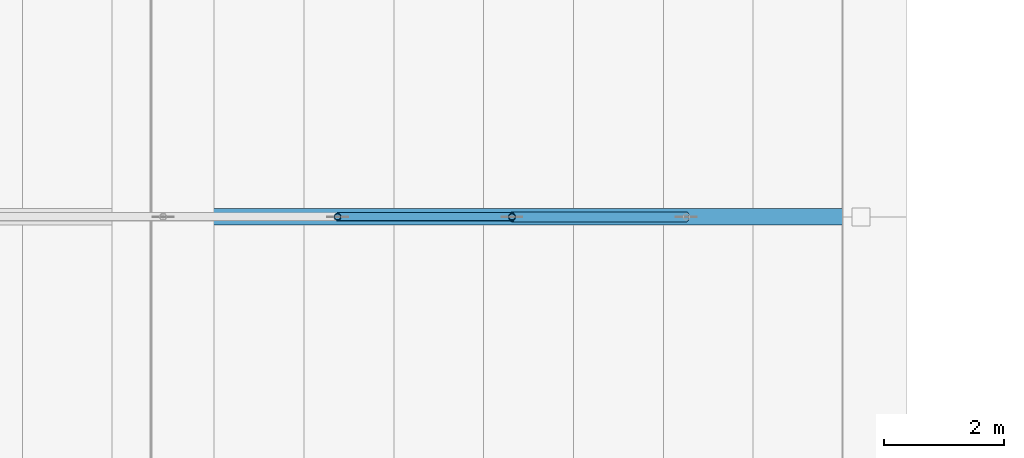
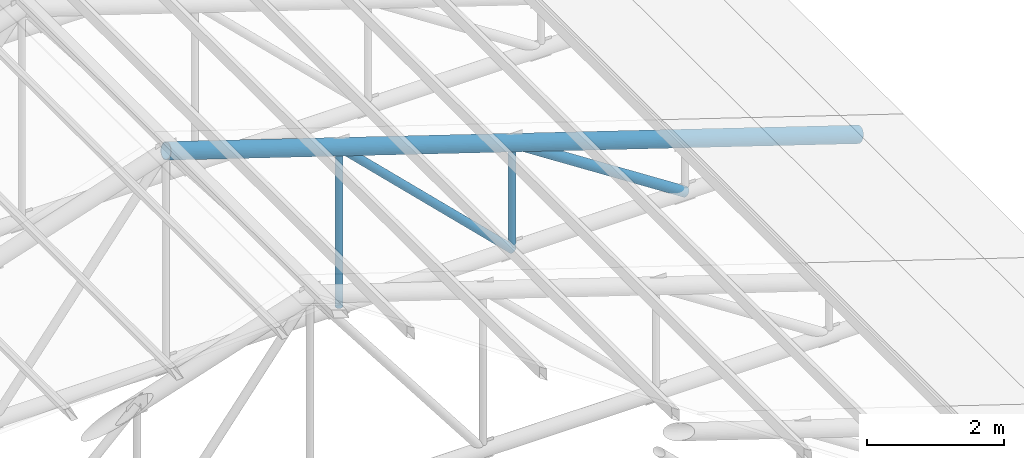
# One storey, part 48 of 95: 5 members.
"""IFC4 building model written with IfcOpenShell, lengths in metres."""

from ifc_helpers import new_model, si_unit, direction, frame, origin, origin_2d, place, context, subcontext, project, spatial, hollow_circle, extrude, material, material_profile, profile_set, type_object, element, save


model = new_model("IFC4")

# Units and contexts
model_context = context("Model", 3, precision=1e-05, world=origin(), true_north=direction((0.0, 1.0)))
body_context = subcontext(model_context, "Body", "Model", "MODEL_VIEW")
ifc_project = project(units=[si_unit("LENGTHUNIT", "METRE"), si_unit("AREAUNIT", "SQUARE_METRE"), si_unit("VOLUMEUNIT", "CUBIC_METRE"), si_unit("PLANEANGLEUNIT", "RADIAN"), si_unit("MASSUNIT", "GRAM", prefix="KILO")], contexts=[model_context])

# Site, building, storey
site_placement = place(None, origin())
site = spatial("IfcSite", under=ifc_project, at=site_placement, CompositionType="ELEMENT")
building_placement = place(site_placement, origin())
building = spatial("IfcBuilding", under=site, at=building_placement, Name="Kiln Court Media Centre", CompositionType="ELEMENT")
storey_placement = place(building_placement, frame((0.0, 0.0, 24.60009765625)))
storey = spatial("IfcBuildingStorey", under=building, at=storey_placement, Name="L05", CompositionType="ELEMENT", Elevation=24.60009765625)

# Members
ifc_material_1 = material(Name="Steel ASTM A500 Gr C", Category="steel")
ifc_material_profile_1 = material_profile(ifc_material_1, hollow_circle(Radius=0.05712890625, WallThickness=0.0048828125, at=origin_2d()), Name="CHS 114.3x5.0")
ifc_profile_set_1 = profile_set([ifc_material_profile_1], Name="Steel ASTM A500 Gr C")
member_type_1 = type_object("IfcMemberType", Name="Steel ASTM A500 Gr C CHS 114.3x5.0 truss web", PredefinedType="BRACE", material=ifc_profile_set_1)
member_1_placement = place(storey_placement, frame((49.3125, 58.800048828125, -0.013916015625), z_axis=(0.0, 0.0, 1.0), x_axis=(1.0, 0.0, 0.0)))
element("IfcMember", 1, at=member_1_placement, inside=storey, type_object=member_type_1, Name="foyer truss FT-09 post 5 truss web", PredefinedType="BRACE", context=body_context, shape_type="SweptSolid", body=[
    extrude(hollow_circle(Radius=0.05712890625, WallThickness=0.0048828125, at=origin_2d()), origin(), (0.0, 0.0, 1.0), 2.839111328125),
])
member_2_placement = place(storey_placement, frame((52.22509765625, 58.800048828125, -0.013916015625), z_axis=(0.0, 0.0, 1.0), x_axis=(1.0, 0.0, 0.0)))
element("IfcMember", 2, at=member_2_placement, inside=storey, type_object=member_type_1, Name="foyer truss FT-09 post 6 truss web", PredefinedType="BRACE", context=body_context, shape_type="SweptSolid", body=[
    extrude(hollow_circle(Radius=0.05712890625, WallThickness=0.0048828125, at=origin_2d()), origin(), (0.0, 0.0, 1.0), 1.892822265625),
])
ifc_material_2 = material(Name="Steel ASTM A500 Gr C", Category="steel")
ifc_material_profile_2 = material_profile(ifc_material_2, hollow_circle(Radius=0.06982421875, WallThickness=0.0048828125, at=origin_2d()), Name="CHS 139.7x5.0")
ifc_profile_set_2 = profile_set([ifc_material_profile_2], Name="Steel ASTM A500 Gr C")
member_type_2 = type_object("IfcMemberType", Name="Steel ASTM A500 Gr C CHS 139.7x5.0 truss web", PredefinedType="BRACE", material=ifc_profile_set_2)
member_3_placement = place(storey_placement, frame((49.3125, 58.800048828125, 2.8251953125), z_axis=(0.716082640751, 0.0, -0.69801550958), x_axis=(0.0, 1.0, 0.0)))
element("IfcMember", 3, at=member_3_placement, inside=storey, type_object=member_type_2, Name="foyer truss FT-09 diagonal 6 truss web", PredefinedType="BRACE", context=body_context, shape_type="SweptSolid", body=[
    extrude(hollow_circle(Radius=0.06982421875, WallThickness=0.0048828125, at=origin_2d()), origin(), (0.0, 0.0, 1.0), 4.0673828125),
])
ifc_material_3 = material(Name="Steel ASTM A500 Gr C", Category="steel")
ifc_material_profile_3 = material_profile(ifc_material_3, hollow_circle(Radius=0.084228515625, WallThickness=0.00634765625, at=origin_2d()), Name="CHS 168.3x6.3")
ifc_profile_set_3 = profile_set([ifc_material_profile_3], Name="Steel ASTM A500 Gr C")
member_type_3 = type_object("IfcMemberType", Name="Steel ASTM A500 Gr C CHS 168.3x6.3 truss web", PredefinedType="BRACE", material=ifc_profile_set_3)
member_4_placement = place(storey_placement, frame((52.22509765625, 58.800048828125, 1.87890625), z_axis=(0.838470915332, 0.0, -0.544946349784), x_axis=(0.0, 1.0, 0.0)))
element("IfcMember", 4, at=member_4_placement, inside=storey, type_object=member_type_3, Name="foyer truss FT-09 diagonal 7 truss web", PredefinedType="BRACE", context=body_context, shape_type="SweptSolid", body=[
    extrude(hollow_circle(Radius=0.084228515625, WallThickness=0.00634765625, at=origin_2d()), origin(), (0.0, 0.0, 1.0), 3.473388671875),
])
ifc_material_4 = material(Name="Steel ASTM A500 Gr C", Category="steel")
ifc_material_profile_4 = material_profile(ifc_material_4, hollow_circle(Radius=0.136474609375, WallThickness=0.010009765625, at=origin_2d()), Name="CHS 273.0x10.0")
ifc_profile_set_4 = profile_set([ifc_material_profile_4], Name="Steel ASTM A500 Gr C")
member_type_4 = type_object("IfcMemberType", Name="Steel ASTM A500 Gr C CHS 273.0x10.0 truss chord", PredefinedType="CHORD", material=ifc_profile_set_4)
member_5_placement = place(storey_placement, frame((46.39990234375, 58.800048828125, 3.771484375), z_axis=(0.951055596592, 0.0, -0.309019824916), x_axis=(0.0, 1.0, 0.0)))
element("IfcMember", 5, at=member_5_placement, inside=storey, type_object=member_type_4, Name="foyer truss FT-09 east rafter truss chord", PredefinedType="CHORD", context=body_context, shape_type="SweptSolid", body=[
    extrude(hollow_circle(Radius=0.136474609375, WallThickness=0.010009765625, at=origin_2d()), origin(), (0.0, 0.0, 1.0), 12.249755859375),
])

save(model, "model.ifc")
